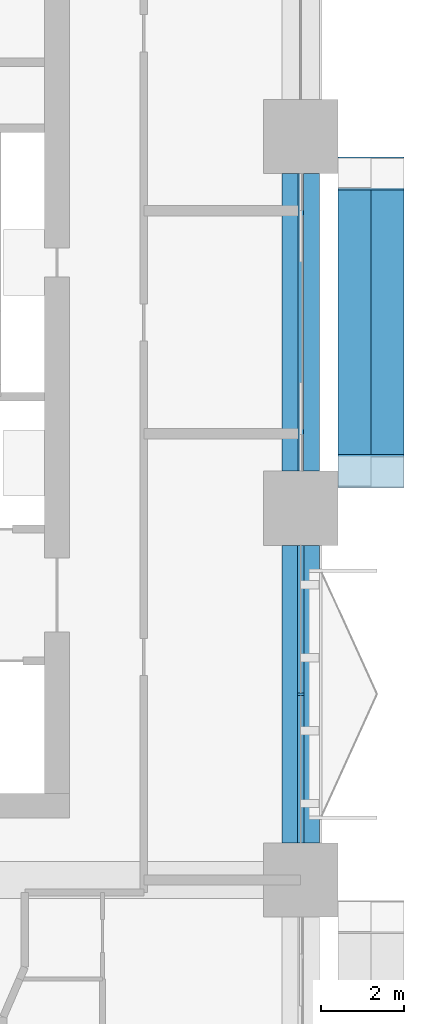
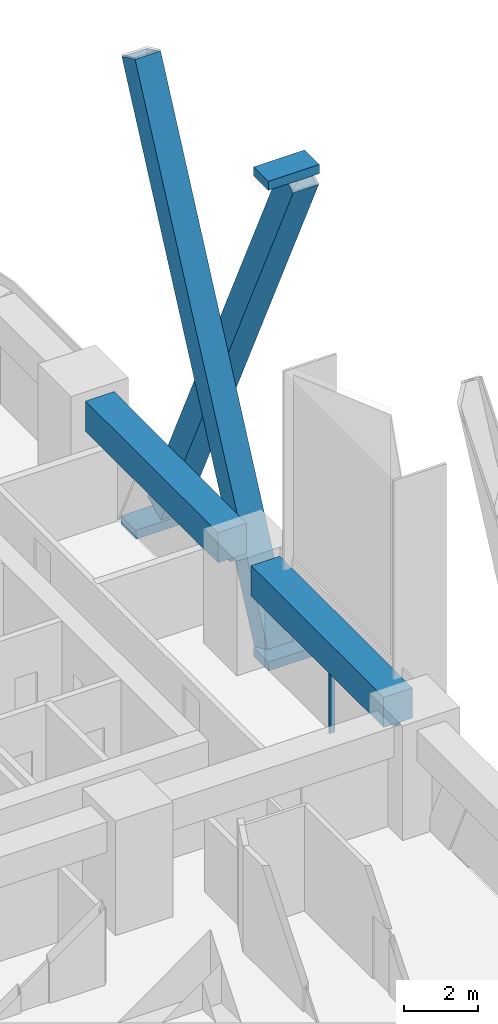
# One storey, part 9 of 26: 8 members, 2 beams, 2 elements without a shape of their own.
"""IFC4 building model written with IfcOpenShell, lengths in metres."""

from ifc_helpers import new_model, si_unit, direction, frame, origin, origin_2d, place, context, subcontext, project, spatial, rectangle, hollow_rectangle, extrude, material, layer, layer_set, material_profile, profile_set, type_object, element, aggregate, save


model = new_model("IFC4")

# Units and contexts
model_context = context("Model", 3, precision=1e-05, world=origin(), true_north=direction((0.0, 1.0)))
body_context = subcontext(model_context, "Body", "Model", "MODEL_VIEW")
ifc_project = project(units=[si_unit("LENGTHUNIT", "METRE"), si_unit("AREAUNIT", "SQUARE_METRE"), si_unit("VOLUMEUNIT", "CUBIC_METRE"), si_unit("PLANEANGLEUNIT", "RADIAN"), si_unit("MASSUNIT", "GRAM", prefix="KILO")], contexts=[model_context])

# Site, building, storey
site_placement = place(None, origin())
site = spatial("IfcSite", under=ifc_project, at=site_placement, CompositionType="ELEMENT")
building_placement = place(site_placement, origin())
building = spatial("IfcBuilding", under=site, at=building_placement, Name="Tessera Arch", CompositionType="ELEMENT")
storey_placement = place(building_placement, frame((0.0, 0.0, 31.0)))
storey = spatial("IfcBuildingStorey", under=building, at=storey_placement, Name="L05", CompositionType="ELEMENT", Elevation=31.0)

# Members
ifc_material_1 = material(Name="Steel A572 Gr50", Category="steel")
ifc_material_profile_1 = material_profile(ifc_material_1, hollow_rectangle(XDim=0.800048828125, YDim=0.800048828125, WallThickness=0.06005859375, at=origin_2d()), Name="BOX 800x800x60")
ifc_profile_set_1 = profile_set([ifc_material_profile_1], Name="Steel A572 Gr50")
member_type_1 = type_object("IfcMemberType", Name="Brace BOX 800x800x60 Steel A572 Gr50", PredefinedType="BRACE", material=ifc_profile_set_1)
for number, where, z_axis, x_axis, name in (
    (1, (55.300048828125, 36.89990234375, -0.800048828125), (0.0, 0.428096952335, 0.903732814167), (-1.0, 0.0, 0.0), "Brace E54.0-4 A L05-L08"),
    (2, (56.10009765625, 44.10009765625, -0.800048828125), (0.0, -0.428096952335, 0.903732814167), (1.0, 0.0, 0.0), "Brace E54.0-4 B L05-L08"),
):
    element("IfcMember", number, at=place(storey_placement, frame(where, z_axis=z_axis, x_axis=x_axis)), inside=storey, type_object=member_type_1, Name=name, PredefinedType="BRACE", context=body_context, shape_type="SweptSolid", body=[
        extrude(hollow_rectangle(XDim=0.800048828125, YDim=0.800048828125, WallThickness=0.06005859375, at=origin_2d()), origin(), (0.0, 0.0, 1.0), 16.819091796875),
    ])

# Curtain wall, members
ifc_material_2 = material(Name="CW1 curtain wall")
curtain_wall_type_1 = type_object("IfcCurtainWallType", Name="CW1 curtain wall", PredefinedType="NOTDEFINED", material=ifc_material_2)
curtain_wall_1_placement = place(storey_placement, origin())
curtain_wall_1 = element("IfcCurtainWall", 3, at=curtain_wall_1_placement, inside=storey, type_object=curtain_wall_type_1, Name="CW1 curtain wall E54.0/3 L05", PredefinedType="NOTDEFINED")
ifc_material_3 = material(Name="Anodised aluminium pale metal", Category="aluminium")
ifc_material_profile_2 = material_profile(ifc_material_3, rectangle(XDim=0.159912109375, YDim=0.06005859375, at=origin_2d()), Name="AL 60x160")
ifc_profile_set_2 = profile_set([ifc_material_profile_2], Name="Anodised aluminium pale metal")
member_type_2 = type_object("IfcMemberType", Name="CW1 mullion", PredefinedType="MULLION", material=ifc_profile_set_2)
member_1_placement = place(storey_placement, frame((54.0, 31.5, 0.0), z_axis=(0.0, 0.0, 1.0), x_axis=(-1.0, 0.0, 0.0)))
member_1 = element("IfcMember", 4, at=member_1_placement, type_object=member_type_2, Name="CW1 mullion E54.0/3 1", PredefinedType="MULLION", context=body_context, shape_type="SweptSolid", body=[
    extrude(rectangle(XDim=0.159912109375, YDim=0.06005859375, at=origin_2d()), origin(), (0.0, 0.0, 1.0), 2.39990234375),
])
ifc_material_4 = material(Name="Anodised aluminium pale metal", Category="aluminium")
ifc_material_profile_3 = material_profile(ifc_material_4, rectangle(XDim=0.159912109375, YDim=0.10009765625, at=origin_2d()), Name="AL 160x100")
ifc_profile_set_3 = profile_set([ifc_material_profile_3], Name="Anodised aluminium pale metal")
member_type_3 = type_object("IfcMemberType", Name="CW1 transom", PredefinedType="USERDEFINED", material=ifc_profile_set_3)
member_2_placement = place(storey_placement, frame((54.0, 27.89990234375, 2.449951171875), z_axis=(0.0, 1.0, 0.0), x_axis=(-1.0, 0.0, 0.0)))
member_2 = element("IfcMember", 5, at=member_2_placement, type_object=member_type_3, Name="CW1 transom E54.0/3 1.1", ObjectType="TRANSOM", PredefinedType="USERDEFINED", context=body_context, shape_type="SweptSolid", body=[
    extrude(rectangle(XDim=0.159912109375, YDim=0.10009765625, at=origin_2d()), origin(), (0.0, 0.0, 1.0), 7.2001953125),
])
aggregate(curtain_wall_1, [member_1, member_2])

# Curtain wall, member
ifc_material_5 = material(Name="CW3 curtain wall")
curtain_wall_type_2 = type_object("IfcCurtainWallType", Name="CW3 curtain wall", PredefinedType="NOTDEFINED", material=ifc_material_5)
curtain_wall_2_placement = place(storey_placement, origin())
curtain_wall_2 = element("IfcCurtainWall", 6, at=curtain_wall_2_placement, inside=storey, type_object=curtain_wall_type_2, Name="CW3 curtain wall E54.0/4 L05", PredefinedType="NOTDEFINED")
ifc_material_6 = material(Name="Anodised aluminium pale metal", Category="aluminium")
ifc_material_profile_4 = material_profile(ifc_material_6, rectangle(XDim=0.139892578125, YDim=0.10009765625, at=origin_2d()), Name="AL 140x100")
ifc_profile_set_4 = profile_set([ifc_material_profile_4], Name="Anodised aluminium pale metal")
member_type_4 = type_object("IfcMemberType", Name="CW3 transom", PredefinedType="USERDEFINED", material=ifc_profile_set_4)
member_3_placement = place(storey_placement, frame((54.0, 36.89990234375, 2.449951171875), z_axis=(0.0, 1.0, 0.0), x_axis=(-1.0, 0.0, 0.0)))
member_3 = element("IfcMember", 7, at=member_3_placement, type_object=member_type_4, Name="CW3 transom E54.0/4 1.1", ObjectType="TRANSOM", PredefinedType="USERDEFINED", context=body_context, shape_type="SweptSolid", body=[
    extrude(rectangle(XDim=0.139892578125, YDim=0.10009765625, at=origin_2d()), origin(), (0.0, 0.0, 1.0), 7.2001953125),
])
aggregate(curtain_wall_2, [member_3])

# Members
ifc_material_7 = material(Name="Steel A572 Gr50", Category="steel")
ifc_layer = layer(ifc_material_7, 0.050048828125)
ifc_layer_set = layer_set([ifc_layer], Name="Node block Steel A572 Gr50")
member_type_5 = type_object("IfcMemberType", Name="Node block Steel A572 Gr50", PredefinedType="PLATE", material=ifc_layer_set)
for number, where, z_axis, x_axis, name in (
    (8, (55.699951171875, 44.10009765625, -1.31640625), (0.0, 0.0, 1.0), (0.0, 1.0, 0.0), "Node block seat E54.0-4 1 L05"),
    (9, (55.699951171875, 36.89990234375, -1.31640625), (0.0, 0.0, 1.0), (0.0, 1.0, 0.0), "Node block seat E54.0-4 2 L05"),
    (10, (55.699951171875, 36.89990234375, 14.6162109375), (0.0, 0.0, 1.0), (0.0, 1.0, 0.0), "Node block head E54.0-4 B L05"),
):
    element("IfcMember", number, at=place(storey_placement, frame(where, z_axis=z_axis, x_axis=x_axis)), inside=storey, type_object=member_type_5, Name=name, PredefinedType="PLATE", context=body_context, shape_type="SweptSolid", body=[
        extrude(rectangle(XDim=0.800048828125, YDim=1.60009765625, at=origin_2d()), origin(), (0.0, 0.0, 1.0), 0.300048828125),
    ])

# Beams
ifc_material_8 = material(Name="Concrete C80/95", Category="concrete")
ifc_material_profile_5 = material_profile(ifc_material_8, rectangle(XDim=0.89990234375, YDim=1.0, at=origin_2d()), Name="RC spandrel beam 900 x 1000 Concrete C80/95")
ifc_profile_set_5 = profile_set([ifc_material_profile_5], Name="Concrete C80/95")
beam_type = type_object("IfcBeamType", Name="RC spandrel beam 900 x 1000 Concrete C80/95", PredefinedType="BEAM", material=ifc_profile_set_5)
for number, where, z_axis, x_axis, name in (
    (11, (54.0, 27.89990234375, 3.0), (0.0, 1.0, 0.0), (-1.0, 0.0, 0.0), "Spandrel beam L05 E54.0/3"),
    (12, (54.0, 36.89990234375, 3.0), (0.0, 1.0, 0.0), (-1.0, 0.0, 0.0), "Spandrel beam L05 E54.0/4"),
):
    element("IfcBeam", number, at=place(storey_placement, frame(where, z_axis=z_axis, x_axis=x_axis)), inside=storey, type_object=beam_type, Name=name, PredefinedType="BEAM", context=body_context, shape_type="SweptSolid", body=[
        extrude(rectangle(XDim=0.89990234375, YDim=1.0, at=origin_2d()), origin(), (0.0, 0.0, 1.0), 7.2001953125),
    ])

save(model, "model.ifc")
